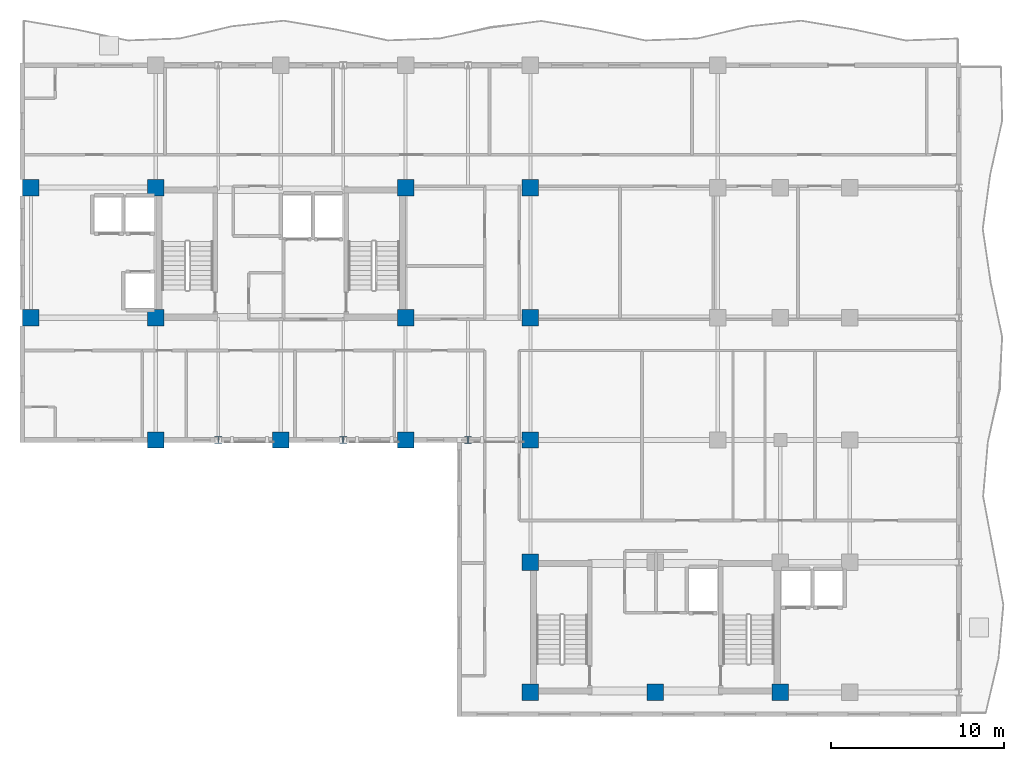
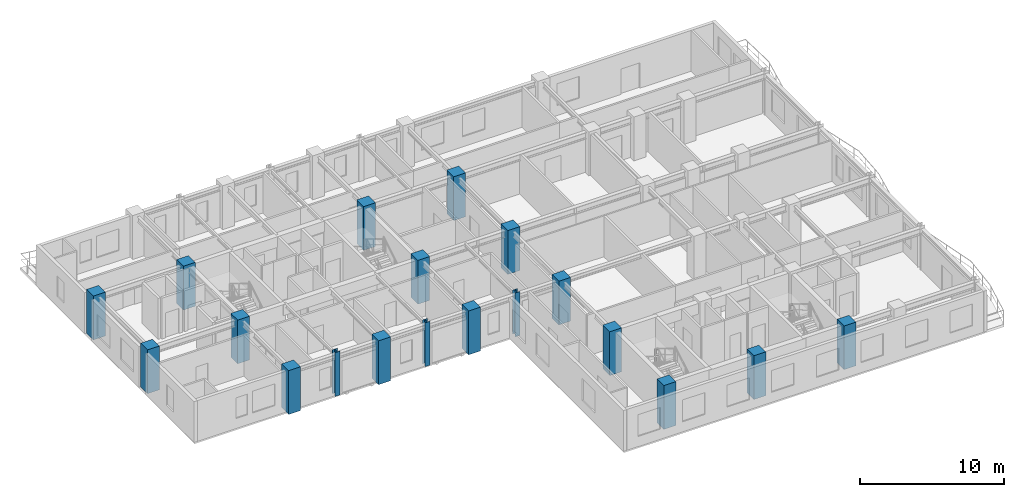
# One storey, part 1 of 13: 19 columns.
"""IFC4 building model written with IfcOpenShell, lengths in metres."""

import ifcopenshell
import ifcopenshell.guid

model = None  # the IFC model being written
_history = None  # IfcOwnerHistory: only IFC2X3 demands one
_inside = {}  # id of a spatial element -> (the spatial element, [elements in it])
_under = {}  # id of a project, library or spatial element -> (it, [spatial elements below it])
_declared = {}  # id of a project -> (the project, [libraries it declares])
_typed = {}  # id of a type object -> (the type object, [elements of that type])
_made_of = {}  # id of a material, layer set ... -> (it, [elements and type objects made of it])


def new_model(schema):
    """Start an empty IFC model of exactly this schema.

    Asked for "IFC4X3", IfcOpenShell would pick the latest addendum, in which some entities
    have other attributes; the version numbers below select the first issue.
    IFC2X3 requires an IfcOwnerHistory on every rooted entity: one is made here for all.
    """
    global model, _history
    if schema == "IFC4X3":
        model = ifcopenshell.file(schema_version=(4, 3, 0, 0))
    else:
        model = ifcopenshell.file(schema=schema)
    _inside.clear()
    _under.clear()
    _declared.clear()
    _typed.clear()
    _made_of.clear()
    _history = None
    if model.schema == "IFC2X3":
        org = make("IfcOrganization", Name="unknown")
        user = make(
            "IfcPersonAndOrganization",
            ThePerson=make("IfcPerson", FamilyName="unknown"),
            TheOrganization=org,
        )
        app = make(
            "IfcApplication",
            ApplicationDeveloper=org,
            Version="unknown",
            ApplicationFullName="unknown",
            ApplicationIdentifier="unknown",
        )
        _history = make(
            "IfcOwnerHistory",
            OwningUser=user,
            OwningApplication=app,
            ChangeAction="ADDED",
            CreationDate=0,
        )
    return model


def make(cls, **values):
    """One entity of the class cls with the attributes given. An attribute that is None is left unset."""
    return model.create_entity(
        cls, **{name: value for name, value in values.items() if value is not None}
    )


def rooted(cls, **values):
    """An entity with a GlobalId (a new one), such as an element, a storey or a relation."""
    return make(cls, GlobalId=ifcopenshell.guid.new(), OwnerHistory=_history, **values)


def si_unit(unit_type, name, prefix=None):
    """IfcSIUnit, for example si_unit("LENGTHUNIT", "METRE", prefix="MILLI")."""
    return make("IfcSIUnit", UnitType=unit_type, Prefix=prefix, Name=name)


def assignment(units):
    """IfcUnitAssignment: the units of a project."""
    return None if units is None else make("IfcUnitAssignment", Units=units)


def point(xyz):
    """IfcCartesianPoint."""
    return None if xyz is None else make("IfcCartesianPoint", Coordinates=xyz)


def direction(xyz):
    """IfcDirection."""
    return None if xyz is None else make("IfcDirection", DirectionRatios=xyz)


def frame(location, z_axis=None, x_axis=None):
    """IfcAxis2Placement3D, a coordinate frame: its origin and axes. An axis left out is left unset."""
    return make(
        "IfcAxis2Placement3D",
        Location=point(location),
        Axis=direction(z_axis),
        RefDirection=direction(x_axis),
    )


def frame_2d(location, x_axis=None):
    """IfcAxis2Placement2D, a coordinate frame in the plane: its origin and x axis."""
    return make(
        "IfcAxis2Placement2D", Location=point(location), RefDirection=direction(x_axis)
    )


def origin():
    """The frame at (0, 0, 0) with its axes left unset."""
    return frame((0.0, 0.0, 0.0))


def origin_2d():
    """The frame at (0, 0) in the plane with its x axis left unset."""
    return frame_2d((0.0, 0.0))


def place(relative_to, where):
    """IfcLocalPlacement: puts the frame where relative to a parent placement (None: the world)."""
    return make(
        "IfcLocalPlacement", PlacementRelTo=relative_to, RelativePlacement=where
    )


def context(
    kind, dimensions, precision=None, world=None, true_north=None, identifier=None
):
    """IfcGeometricRepresentationContext, for example the 3D "Model" context."""
    return make(
        "IfcGeometricRepresentationContext",
        ContextIdentifier=identifier,
        ContextType=kind,
        CoordinateSpaceDimension=dimensions,
        Precision=precision,
        WorldCoordinateSystem=world,
        TrueNorth=true_north,
    )


def subcontext(parent, identifier, kind, view, scale=None):
    """IfcGeometricRepresentationSubContext, for example "Body" below "Model"."""
    return make(
        "IfcGeometricRepresentationSubContext",
        ContextIdentifier=identifier,
        ContextType=kind,
        ParentContext=parent,
        TargetScale=scale,
        TargetView=view,
    )


def project(units=None, contexts=None):
    """IfcProject with its units and contexts."""
    return rooted(
        "IfcProject",
        Name="project",
        RepresentationContexts=contexts,
        UnitsInContext=assignment(units),
    )


def spatial(cls, under=None, at=None, **own):
    """A site, building, storey or space (cls), placed at a placement, below another one or the project."""
    s = rooted(cls, ObjectPlacement=at, **own)
    if under is not None:
        _under.setdefault(under.id(), (under, []))[1].append(s)
    return s


def profile(cls, at=None, kind="AREA", **sizes):
    """A parametric profile (cls). Its sizes go by their IFC names, for example OverallWidth=200.0."""
    return make(cls, ProfileType=kind, Position=at, **sizes)


def rectangle(**sizes):
    """IfcRectangleProfileDef."""
    return profile("IfcRectangleProfileDef", **sizes)


def i_section(**sizes):
    """IfcIShapeProfileDef."""
    return profile("IfcIShapeProfileDef", **sizes)


def extrude(swept, where, along, depth):
    """IfcExtrudedAreaSolid: the profile swept, set in the frame where, extruded along a direction by depth."""
    return make(
        "IfcExtrudedAreaSolid",
        SweptArea=swept,
        Position=where,
        ExtrudedDirection=direction(along),
        Depth=depth,
    )


def shape(context_of_items, identifier, shape_type, items):
    """IfcShapeRepresentation: the items that make up one representation, for example the "Body"."""
    return make(
        "IfcShapeRepresentation",
        ContextOfItems=context_of_items,
        RepresentationIdentifier=identifier,
        RepresentationType=shape_type,
        Items=items,
    )


def source(mapping_origin, context_of_items, identifier, shape_type, items):
    """IfcRepresentationMap: a shape defined once, which mapped items show again and again."""
    return make(
        "IfcRepresentationMap",
        MappingOrigin=mapping_origin,
        MappedRepresentation=shape(context_of_items, identifier, shape_type, items),
    )


def transform(
    local_origin,
    x_axis=None,
    y_axis=None,
    z_axis=None,
    scale=None,
    scale2=None,
    scale3=None,
    uniform=True,
):
    """IfcCartesianTransformationOperator3D, or its non-uniform kind. x_axis, y_axis, z_axis: its Axis1, 2, 3."""
    if uniform:
        return make(
            "IfcCartesianTransformationOperator3D",
            Axis1=direction(x_axis),
            Axis2=direction(y_axis),
            LocalOrigin=point(local_origin),
            Scale=scale,
            Axis3=direction(z_axis),
        )
    return make(
        "IfcCartesianTransformationOperator3DnonUniform",
        Axis1=direction(x_axis),
        Axis2=direction(y_axis),
        LocalOrigin=point(local_origin),
        Scale=scale,
        Axis3=direction(z_axis),
        Scale2=scale2,
        Scale3=scale3,
    )


def mapped(mapping_source, mapping_target):
    """IfcMappedItem: shows the shape of a source again, moved by a transform."""
    return make(
        "IfcMappedItem", MappingSource=mapping_source, MappingTarget=mapping_target
    )


def material(Name=None, Category=None):
    """IfcMaterial."""
    return make("IfcMaterial", Name=Name, Category=Category)


def material_profile(
    of_material, cross_section, Name=None, Category=None, Priority=None
):
    """IfcMaterialProfile: a cross section and its material."""
    return make(
        "IfcMaterialProfile",
        Name=Name,
        Material=of_material,
        Profile=cross_section,
        Priority=Priority,
        Category=Category,
    )


def profile_set(profiles, Name=None, composite=None):
    """IfcMaterialProfileSet."""
    return make(
        "IfcMaterialProfileSet",
        Name=Name,
        MaterialProfiles=profiles,
        CompositeProfile=composite,
    )


def made_of(thing, what):
    """Note that an element or type object is made of a material, layer set ...; save() writes the relation."""
    if what is not None:
        _made_of.setdefault(what.id(), (what, []))[1].append(thing)
    return thing


def type_object(cls, material=None, **own):
    """A type object (cls), such as IfcWallType, which elements share."""
    return made_of(rooted(cls, **own), material)


def element(
    cls,
    number,
    at=None,
    inside=None,
    cuts=None,
    type_object=None,
    material=None,
    context=None,
    identifier="Body",
    shape_type=None,
    held_by="IfcProductDefinitionShape",
    body=None,
    shapes=None,
    **own,
):
    """One element of the class cls, such as IfcWall. Its Tag is "e" and its number.

    at: its placement. inside: the storey or other place that contains it. cuts: it is an
    opening in that element (IfcRelVoidsElement). A single representation is given by context,
    identifier, shape_type and body (its items); several are given by shapes. held_by: the class
    of the entity that holds the representations. save() writes the other relations.
    """
    e = rooted(cls, Tag="e%d" % number, ObjectPlacement=at, **own)
    if body is not None:
        shapes = [shape(context, identifier, shape_type, body)]
    if shapes is not None:
        e.Representation = make(held_by, Representations=shapes)
    if inside is not None:
        _inside.setdefault(inside.id(), (inside, []))[1].append(e)
    if cuts is not None:
        rooted(
            "IfcRelVoidsElement", RelatingBuildingElement=cuts, RelatedOpeningElement=e
        )
    if type_object is not None:
        _typed.setdefault(type_object.id(), (type_object, []))[1].append(e)
    return made_of(e, material)


def aggregate(whole, parts):
    """IfcRelAggregates: a whole, such as a stair, and the parts it consists of."""
    return rooted("IfcRelAggregates", RelatingObject=whole, RelatedObjects=parts)


def save(model, path):
    """Write the relations noted so far, then the file.

    IfcRelAggregates (storeys below a building ...), IfcRelContainedInSpatialStructure (elements
    in a storey), IfcRelDefinesByType, IfcRelAssociatesMaterial and IfcRelDeclares: one each for
    every whole, place, type object, material and project.
    """
    for whole, parts in _under.values():
        aggregate(whole, parts)
    for where, things in _inside.values():
        rooted(
            "IfcRelContainedInSpatialStructure",
            RelatedElements=things,
            RelatingStructure=where,
        )
    for kind, things in _typed.values():
        rooted("IfcRelDefinesByType", RelatedObjects=things, RelatingType=kind)
    for what, things in _made_of.values():
        rooted("IfcRelAssociatesMaterial", RelatedObjects=things, RelatingMaterial=what)
    for by, libraries in _declared.values():
        rooted("IfcRelDeclares", RelatingContext=by, RelatedDefinitions=libraries)
    model.write(path)


model = new_model("IFC4")

# Units and contexts
model_context = context("Model", 3, precision=1e-05, world=origin(), true_north=direction((0.0, 1.0)))
body_context = subcontext(model_context, "Body", "Model", "MODEL_VIEW")
ifc_project = project(units=[si_unit("LENGTHUNIT", "METRE"), si_unit("AREAUNIT", "SQUARE_METRE"), si_unit("VOLUMEUNIT", "CUBIC_METRE"), si_unit("PLANEANGLEUNIT", "RADIAN"), si_unit("MASSUNIT", "GRAM", prefix="KILO")], contexts=[model_context])

# Site, building, storey
site_placement = place(None, origin())
site = spatial("IfcSite", under=ifc_project, at=site_placement, CompositionType="ELEMENT")
building_placement = place(site_placement, origin())
building = spatial("IfcBuilding", under=site, at=building_placement, Name="Kaliganga Portal Commons", CompositionType="ELEMENT")
storey_placement = place(building_placement, frame((0.0, 0.0, 212.89990234375)))
storey = spatial("IfcBuildingStorey", under=building, at=storey_placement, Name="L54", CompositionType="ELEMENT", Elevation=212.89990234375)

# Columns
ifc_material_1 = material(Name="Concrete C50/60", Category="concrete")
ifc_material_profile_1 = material_profile(ifc_material_1, rectangle(XDim=0.949951171875, YDim=0.949951171875, at=origin_2d()), Name="RC 950x950")
ifc_profile_set_1 = profile_set([ifc_material_profile_1], Name="Concrete C50/60")
column_type_1 = type_object("IfcColumnType", Name="COL-MEGA-Z4", PredefinedType="COLUMN", material=ifc_profile_set_1)
shared_shape_1 = source(origin(), body_context, "Body", "SweptSolid", [
    extrude(rectangle(XDim=0.949951171875, YDim=0.949951171875, at=origin_2d()), origin(), (0.0, 0.0, 1.0), 3.7001953125),
])
for number, where, z_axis, x_axis, name in (
    (1, (7.199951171875, 28.64990234375, 0.0), (0.0, 0.0, 1.0), (1.0, 0.0, 0.0), "Column MC-05 L54"),
    (2, (7.199951171875, 36.14990234375, 0.0), (0.0, 0.0, 1.0), (1.0, 0.0, 0.0), "Column MC-05 L54"),
    (3, (14.39990234375, 21.60009765625, 0.0), (0.0, 0.0, 1.0), (1.0, 0.0, 0.0), "Column MC-05 L54"),
    (4, (14.39990234375, 28.64990234375, 0.0), (0.0, 0.0, 1.0), (1.0, 0.0, 0.0), "Column MC-05 L54"),
    (5, (14.39990234375, 36.14990234375, 0.0), (0.0, 0.0, 1.0), (1.0, 0.0, 0.0), "Column MC-05 L54"),
    (6, (21.60009765625, 21.60009765625, 0.0), (0.0, 0.0, 1.0), (1.0, 0.0, 0.0), "Column MC-05 L54"),
    (7, (28.800048828125, 21.60009765625, 0.0), (0.0, 0.0, 1.0), (1.0, 0.0, 0.0), "Column MC-05 L54"),
    (8, (28.800048828125, 28.64990234375, 0.0), (0.0, 0.0, 1.0), (1.0, 0.0, 0.0), "Column MC-05 L54"),
    (9, (28.800048828125, 36.14990234375, 0.0), (0.0, 0.0, 1.0), (1.0, 0.0, 0.0), "Column MC-05 L54"),
    (10, (36.0, 21.60009765625, 0.0), (0.0, 0.0, 1.0), (1.0, 0.0, 0.0), "Column MC-05 L54"),
    (11, (36.0, 28.64990234375, 0.0), (0.0, 0.0, 1.0), (1.0, 0.0, 0.0), "Column MC-05 L54"),
    (12, (36.0, 36.14990234375, 0.0), (0.0, 0.0, 1.0), (1.0, 0.0, 0.0), "Column MC-05 L54"),
    (13, (36.0, 7.050048828125, 0.0), (0.0, 0.0, 1.0), (1.0, 0.0, 0.0), "Column MC-05 L54"),
    (14, (36.0, 14.550048828125, 0.0), (0.0, 0.0, 1.0), (1.0, 0.0, 0.0), "Column MC-05 L54"),
    (15, (43.199951171875, 7.050048828125, 0.0), (0.0, 0.0, 1.0), (1.0, 0.0, 0.0), "Column MC-05 L54"),
    (16, (50.39990234375, 7.050048828125, 0.0), (0.0, 0.0, 1.0), (1.0, 0.0, 0.0), "Column MC-05 L54"),
):
    element("IfcColumn", number, at=place(storey_placement, frame(where, z_axis=z_axis, x_axis=x_axis)), inside=storey, type_object=column_type_1, Name=name, PredefinedType="COLUMN", context=body_context, shape_type="MappedRepresentation", body=[
        mapped(shared_shape_1, transform((0.0, 0.0, 0.0), x_axis=(1.0, 0.0, 0.0), y_axis=(0.0, 1.0, 0.0), z_axis=(0.0, 0.0, 1.0), scale=1.0)),
    ])
ifc_material_2 = material(Name="Structural steel S355J2", Category="steel")
ifc_material_profile_2 = material_profile(ifc_material_2, i_section(OverallWidth=0.39892578125, OverallDepth=0.39990234375, WebThickness=0.017333984375, FlangeThickness=0.0234375, FilletRadius=0.014892578125, at=origin_2d()), Name="HD 400x287")
ifc_profile_set_2 = profile_set([ifc_material_profile_2], Name="Structural steel S355J2 wide-flange")
column_type_2 = type_object("IfcColumnType", Name="COL-TUBE-B4", PredefinedType="COLUMN", material=ifc_profile_set_2)
shared_shape_2 = source(origin(), body_context, "Body", "SweptSolid", [
    extrude(i_section(OverallWidth=0.39892578125, OverallDepth=0.39990234375, WebThickness=0.017333984375, FlangeThickness=0.0234375, FilletRadius=0.014892578125, at=origin_2d()), origin(), (0.0, 0.0, 1.0), 3.7001953125),
])
for number, where, z_axis, x_axis, name in (
    (17, (18.0, 21.60009765625, 0.0), (0.0, 0.0, 1.0), (1.0, 0.0, 0.0), "Column TC-04 L54"),
    (18, (25.199951171875, 21.60009765625, 0.0), (0.0, 0.0, 1.0), (1.0, 0.0, 0.0), "Column TC-04 L54"),
    (19, (32.39990234375, 21.60009765625, 0.0), (0.0, 0.0, 1.0), (1.0, 0.0, 0.0), "Column TC-04 L54"),
):
    element("IfcColumn", number, at=place(storey_placement, frame(where, z_axis=z_axis, x_axis=x_axis)), inside=storey, type_object=column_type_2, Name=name, PredefinedType="COLUMN", context=body_context, shape_type="MappedRepresentation", body=[
        mapped(shared_shape_2, transform((0.0, 0.0, 0.0), x_axis=(1.0, 0.0, 0.0), y_axis=(0.0, 1.0, 0.0), z_axis=(0.0, 0.0, 1.0), scale=1.0)),
    ])

save(model, "model.ifc")
